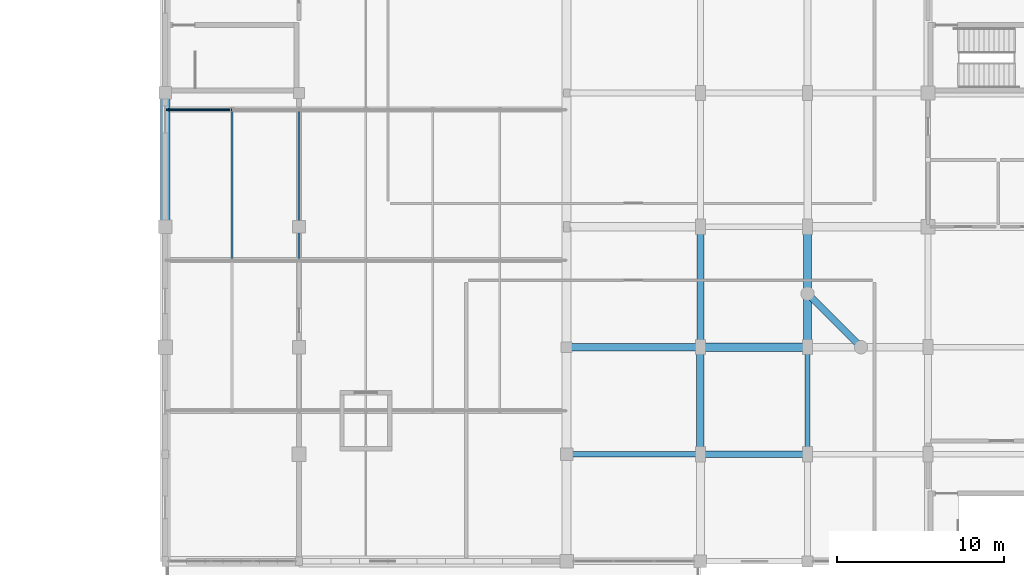
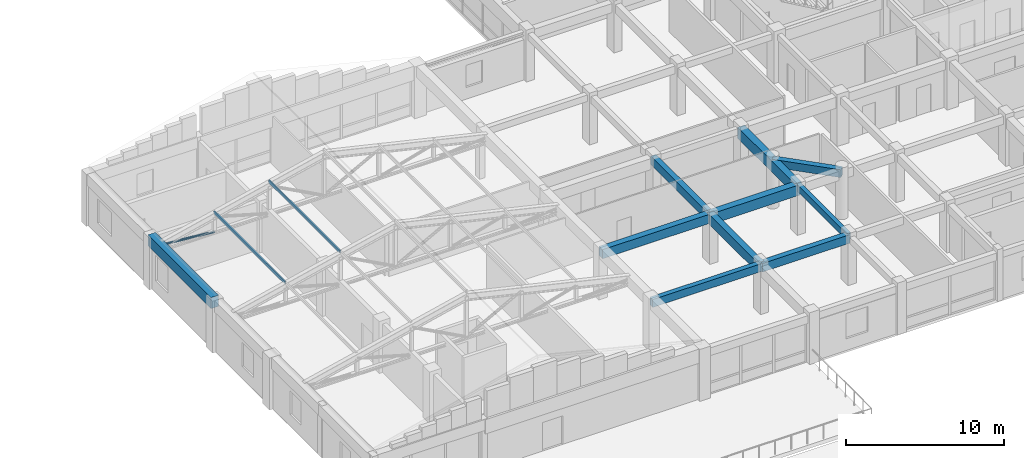
# One storey, part 5 of 27: 10 beams, 3 members.
"""IFC4 building model written with IfcOpenShell, lengths in metres."""

from ifc_helpers import new_model, si_unit, direction, frame, origin, origin_2d, place, context, subcontext, project, spatial, rectangle, hollow_rectangle, hollow_circle, extrude, material, material_profile, profile_set, type_object, element, save


model = new_model("IFC4")

# Units and contexts
model_context = context("Model", 3, precision=1e-05, world=origin(), true_north=direction((0.0, 1.0)))
body_context = subcontext(model_context, "Body", "Model", "MODEL_VIEW")
ifc_project = project(units=[si_unit("LENGTHUNIT", "METRE"), si_unit("AREAUNIT", "SQUARE_METRE"), si_unit("VOLUMEUNIT", "CUBIC_METRE"), si_unit("PLANEANGLEUNIT", "RADIAN"), si_unit("MASSUNIT", "GRAM", prefix="KILO")], contexts=[model_context])

# Site, building, storey
site_placement = place(None, origin())
site = spatial("IfcSite", under=ifc_project, at=site_placement, CompositionType="ELEMENT")
building_placement = place(site_placement, origin())
building = spatial("IfcBuilding", under=site, at=building_placement, Name="Vellmiral Cinema and Media Centre", CompositionType="ELEMENT")
storey_placement = place(building_placement, frame((0.0, 0.0, 19.800048828125)))
storey = spatial("IfcBuildingStorey", under=building, at=storey_placement, Name="L04", CompositionType="ELEMENT", Elevation=19.800048828125)

# Beams
ifc_material_1 = material(Name="Concrete C40/50", Category="concrete")
ifc_material_profile_1 = material_profile(ifc_material_1, rectangle(XDim=0.300048828125, YDim=0.5, at=origin_2d()), Name="RC 300x500")
ifc_profile_set_1 = profile_set([ifc_material_profile_1], Name="Concrete C40/50")
beam_type_1 = type_object("IfcBeamType", Name="BM-RC-300x500", PredefinedType="BEAM", material=ifc_profile_set_1)
beam_1_placement = place(storey_placement, frame((116.800048828125, 65.60009765625, 3.445068359375), z_axis=(0.0, 1.0, 0.0), x_axis=(-1.0, 0.0, 0.0)))
element("IfcBeam", 1, at=beam_1_placement, inside=storey, type_object=beam_type_1, Name="Grid Beam L04-Y069", PredefinedType="BEAM", context=body_context, shape_type="SweptSolid", body=[
    extrude(rectangle(XDim=0.300048828125, YDim=0.5, at=origin_2d()), origin(), (0.0, 0.0, 1.0), 6.39990234375),
])
ifc_material_2 = material(Name="Concrete C40/50", Category="concrete")
ifc_material_profile_2 = material_profile(ifc_material_2, rectangle(XDim=0.35009765625, YDim=0.60009765625, at=origin_2d()), Name="RC 350x600")
ifc_profile_set_2 = profile_set([ifc_material_profile_2], Name="Concrete C40/50")
beam_type_2 = type_object("IfcBeamType", Name="BM-RC-350x600", PredefinedType="BEAM", material=ifc_profile_set_2)
beam_2_placement = place(storey_placement, frame((102.39990234375, 65.60009765625, 3.39501953125), z_axis=(1.0, 0.0, 0.0), x_axis=(0.0, 1.0, 0.0)))
element("IfcBeam", 2, at=beam_2_placement, inside=storey, type_object=beam_type_2, Name="Grid Beam L04-X008", PredefinedType="BEAM", context=body_context, shape_type="SweptSolid", body=[
    extrude(rectangle(XDim=0.35009765625, YDim=0.60009765625, at=origin_2d()), origin(), (0.0, 0.0, 1.0), 8.0),
])
ifc_material_3 = material(Name="Concrete C40/50", Category="concrete")
ifc_material_profile_3 = material_profile(ifc_material_3, rectangle(XDim=0.39990234375, YDim=0.64990234375, at=origin_2d()), Name="RC 400x650")
ifc_profile_set_3 = profile_set([ifc_material_profile_3], Name="Concrete C40/50")
beam_type_3 = type_object("IfcBeamType", Name="BM-RC-400x650", PredefinedType="BEAM", material=ifc_profile_set_3)
beam_3_placement = place(storey_placement, frame((110.39990234375, 65.60009765625, 3.369873046875), z_axis=(1.0, 0.0, 0.0), x_axis=(0.0, 1.0, 0.0)))
element("IfcBeam", 3, at=beam_3_placement, inside=storey, type_object=beam_type_3, Name="Grid Beam L04-X009", PredefinedType="BEAM", context=body_context, shape_type="SweptSolid", body=[
    extrude(rectangle(XDim=0.39990234375, YDim=0.64990234375, at=origin_2d()), origin(), (0.0, 0.0, 1.0), 6.400146484375),
])
beam_4_placement = place(storey_placement, frame((110.39990234375, 72.0, 3.369873046875), z_axis=(0.0, 1.0, 0.0), x_axis=(-1.0, 0.0, 0.0)))
element("IfcBeam", 4, at=beam_4_placement, inside=storey, type_object=beam_type_3, Name="Grid Beam L04-Y063", PredefinedType="BEAM", context=body_context, shape_type="SweptSolid", body=[
    extrude(rectangle(XDim=0.39990234375, YDim=0.64990234375, at=origin_2d()), origin(), (0.0, 0.0, 1.0), 7.199951171875),
])
ifc_material_4 = material(Name="Concrete C40/50", Category="concrete")
ifc_material_profile_4 = material_profile(ifc_material_4, rectangle(XDim=0.449951171875, YDim=0.699951171875, at=origin_2d()), Name="RC 450x700")
ifc_profile_set_4 = profile_set([ifc_material_profile_4], Name="Concrete C40/50")
beam_type_4 = type_object("IfcBeamType", Name="BM-RC-450x700", PredefinedType="BEAM", material=ifc_profile_set_4)
beam_5_placement = place(storey_placement, frame((102.39990234375, 72.0, 3.344970703125), z_axis=(1.0, 0.0, 0.0), x_axis=(0.0, 1.0, 0.0)))
element("IfcBeam", 5, at=beam_5_placement, inside=storey, type_object=beam_type_4, Name="Grid Beam L04-X016", PredefinedType="BEAM", context=body_context, shape_type="SweptSolid", body=[
    extrude(rectangle(XDim=0.449951171875, YDim=0.699951171875, at=origin_2d()), origin(), (0.0, 0.0, 1.0), 8.0),
])
ifc_material_5 = material(Name="Concrete C40/50", Category="concrete")
ifc_material_profile_5 = material_profile(ifc_material_5, rectangle(XDim=0.449951171875, YDim=0.75, at=origin_2d()), Name="RC 450x750")
ifc_profile_set_5 = profile_set([ifc_material_profile_5], Name="Concrete C40/50")
beam_type_5 = type_object("IfcBeamType", Name="BM-RC-450x750", PredefinedType="BEAM", material=ifc_profile_set_5)
beam_6_placement = place(storey_placement, frame((110.39990234375, 65.60009765625, 3.320068359375), z_axis=(0.0, 1.0, 0.0), x_axis=(-1.0, 0.0, 0.0)))
element("IfcBeam", 6, at=beam_6_placement, inside=storey, type_object=beam_type_5, Name="Grid Beam L04-Y062", PredefinedType="BEAM", context=body_context, shape_type="SweptSolid", body=[
    extrude(rectangle(XDim=0.449951171875, YDim=0.75, at=origin_2d()), origin(), (0.0, 0.0, 1.0), 6.39990234375),
])
ifc_material_6 = material(Name="Concrete C40/50", Category="concrete")
ifc_material_profile_6 = material_profile(ifc_material_6, rectangle(XDim=0.5, YDim=0.800048828125, at=origin_2d()), Name="RC 500x800")
ifc_profile_set_6 = profile_set([ifc_material_profile_6], Name="Concrete C40/50")
beam_type_6 = type_object("IfcBeamType", Name="BM-RC-500x800", PredefinedType="BEAM", material=ifc_profile_set_6)
beam_7_placement = place(storey_placement, frame((110.39990234375, 72.0, 3.294921875), z_axis=(1.0, 0.0, 0.0), x_axis=(0.0, 1.0, 0.0)))
element("IfcBeam", 7, at=beam_7_placement, inside=storey, type_object=beam_type_6, Name="Grid Beam L04-X017", PredefinedType="BEAM", context=body_context, shape_type="SweptSolid", body=[
    extrude(rectangle(XDim=0.5, YDim=0.800048828125, at=origin_2d()), origin(), (0.0, 0.0, 1.0), 6.400146484375),
])
ifc_material_7 = material(Name="Concrete C40/50", Category="concrete")
ifc_material_profile_7 = material_profile(ifc_material_7, rectangle(XDim=0.5, YDim=0.85009765625, at=origin_2d()), Name="RC 500x850")
ifc_profile_set_7 = profile_set([ifc_material_profile_7], Name="Concrete C40/50")
beam_type_7 = type_object("IfcBeamType", Name="BM-RC-500x850", PredefinedType="BEAM", material=ifc_profile_set_7)
beam_8_placement = place(storey_placement, frame((116.800048828125, 72.0, 3.27001953125), z_axis=(0.0, 1.0, 0.0), x_axis=(-1.0, 0.0, 0.0)))
element("IfcBeam", 8, at=beam_8_placement, inside=storey, type_object=beam_type_7, Name="Grid Beam L04-Y070", PredefinedType="BEAM", context=body_context, shape_type="SweptSolid", body=[
    extrude(rectangle(XDim=0.5, YDim=0.85009765625, at=origin_2d()), origin(), (0.0, 0.0, 1.0), 7.199951171875),
])

# Members
ifc_material_8 = material(Name="Steel S355", Category="steel")
ifc_material_profile_8 = material_profile(ifc_material_8, hollow_rectangle(XDim=0.10009765625, YDim=0.199951171875, WallThickness=0.008056640625, at=origin_2d()), Name="RHS 200x100x8.0")
ifc_profile_set_8 = profile_set([ifc_material_profile_8], Name="Steel S355")
member_type_1 = type_object("IfcMemberType", Name="PRL-RHS200", PredefinedType="PURLIN", material=ifc_profile_set_8)
for number, where, z_axis, x_axis, name in (
    (9, (82.39990234375, 77.199951171875, 4.8623046875), (0.0, 1.0, 0.0), (-1.0, 0.0, 0.0), "Roof Purlin VR-09.1.2"),
    (10, (86.39990234375, 77.199951171875, 5.859619140625), (0.0, 1.0, 0.0), (-1.0, 0.0, 0.0), "Roof Purlin VR-09.2.2"),
):
    element("IfcMember", number, at=place(storey_placement, frame(where, z_axis=z_axis, x_axis=x_axis)), inside=storey, type_object=member_type_1, Name=name, PredefinedType="PURLIN", context=body_context, shape_type="SweptSolid", body=[
        extrude(hollow_rectangle(XDim=0.10009765625, YDim=0.199951171875, WallThickness=0.008056640625, at=origin_2d()), origin(), (0.0, 0.0, 1.0), 9.0),
    ])

# Beams
ifc_material_9 = material(Name="Concrete C40/50", Category="concrete")
ifc_material_profile_9 = material_profile(ifc_material_9, rectangle(XDim=0.550048828125, YDim=0.85009765625, at=origin_2d()), Name="RC 550x850")
ifc_profile_set_9 = profile_set([ifc_material_profile_9], Name="Concrete C40/50")
beam_type_8 = type_object("IfcBeamType", Name="RING-BM-550x850", PredefinedType="BEAM", material=ifc_profile_set_9)
beam_9_placement = place(storey_placement, frame((78.39990234375, 79.199951171875, 3.574951171875), z_axis=(0.0, 1.0, 0.0), x_axis=(-1.0, 0.0, 0.0)))
element("IfcBeam", 11, at=beam_9_placement, inside=storey, type_object=beam_type_8, Name="Stepped Broadcast Bridge Barrel Vault Ring Beam 08", PredefinedType="BEAM", context=body_context, shape_type="SweptSolid", body=[
    extrude(rectangle(XDim=0.550048828125, YDim=0.85009765625, at=origin_2d()), origin(), (0.0, 0.0, 1.0), 8.0),
])
ifc_material_10 = material(Name="Concrete C40/50", Category="concrete")
ifc_material_profile_10 = material_profile(ifc_material_10, rectangle(XDim=0.39990234375, YDim=0.60009765625, at=origin_2d()), Name="RC 400x600")
ifc_profile_set_10 = profile_set([ifc_material_profile_10], Name="Concrete C40/50")
beam_type_9 = type_object("IfcBeamType", Name="SPD-RC-400x600", PredefinedType="SPANDREL", material=ifc_profile_set_10)
beam_10_placement = place(storey_placement, frame((116.800048828125, 75.199951171875, 3.39501953125), z_axis=(0.707106781187, -0.707106781187, 0.0), x_axis=(0.707106781187, 0.707106781187, 0.0)))
element("IfcBeam", 12, at=beam_10_placement, inside=storey, type_object=beam_type_9, Name="Xamfra Chamfer Spandrel Beam L04-115", PredefinedType="SPANDREL", context=body_context, shape_type="SweptSolid", body=[
    extrude(rectangle(XDim=0.39990234375, YDim=0.60009765625, at=origin_2d()), origin(), (0.0, 0.0, 1.0), 4.525390625),
])

# Member
ifc_material_11 = material(Name="Steel S355", Category="steel")
ifc_material_profile_11 = material_profile(ifc_material_11, hollow_circle(Radius=0.084228515625, WallThickness=0.008056640625, at=origin_2d()), Name="CHS 168.3x8.0")
ifc_profile_set_11 = profile_set([ifc_material_profile_11], Name="Steel S355")
member_type_2 = type_object("IfcMemberType", Name="TBR-CHS168", PredefinedType="BRACE", material=ifc_profile_set_11)
member_placement = place(storey_placement, frame((78.39990234375, 86.199951171875, 3.699951171875), z_axis=(0.996191605278, 0.0, -0.087191086546), x_axis=(0.0, 1.0, 0.0)))
element("IfcMember", 13, at=member_placement, inside=storey, type_object=member_type_2, Name="Roof Truss TR-09.3 Diagonal 1", PredefinedType="BRACE", context=body_context, shape_type="SweptSolid", body=[
    extrude(hollow_circle(Radius=0.084228515625, WallThickness=0.008056640625, at=origin_2d()), origin(), (0.0, 0.0, 1.0), 4.015380859375),
])

save(model, "model.ifc")
